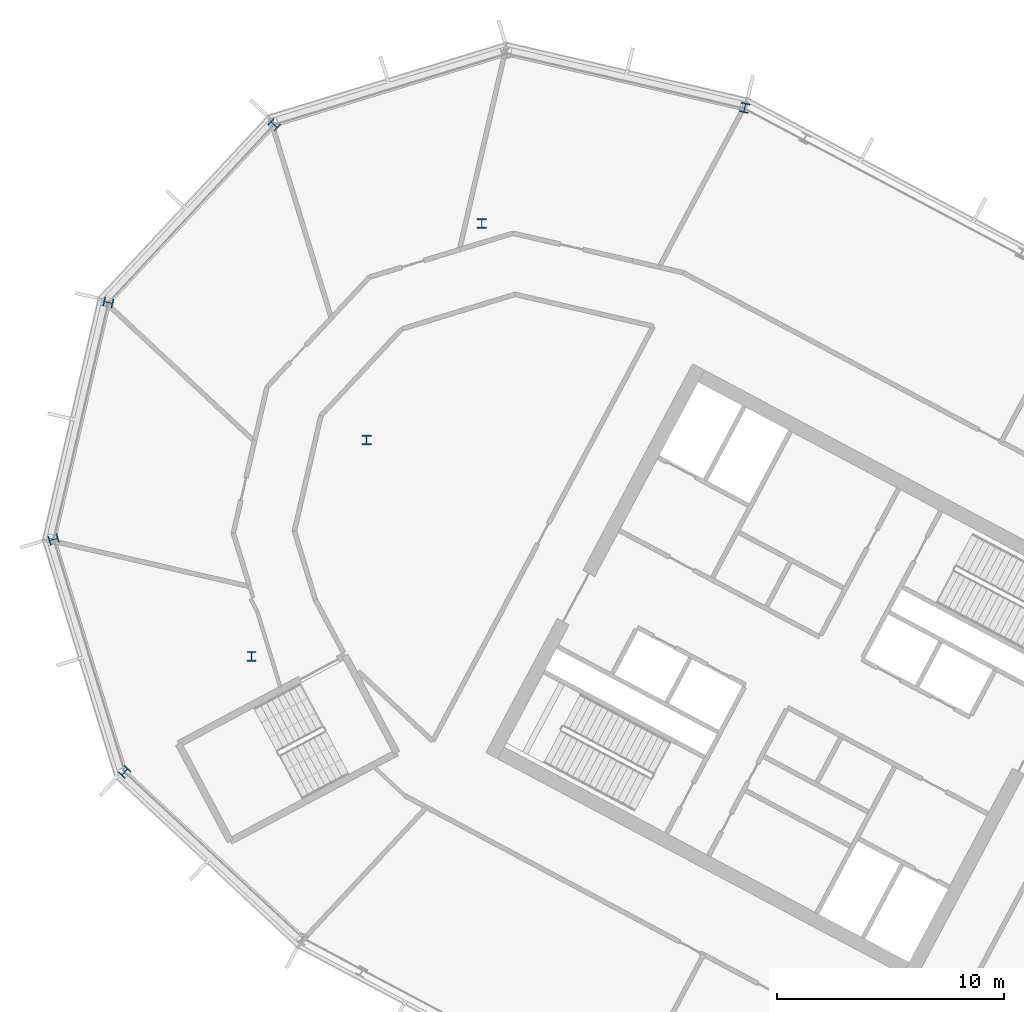
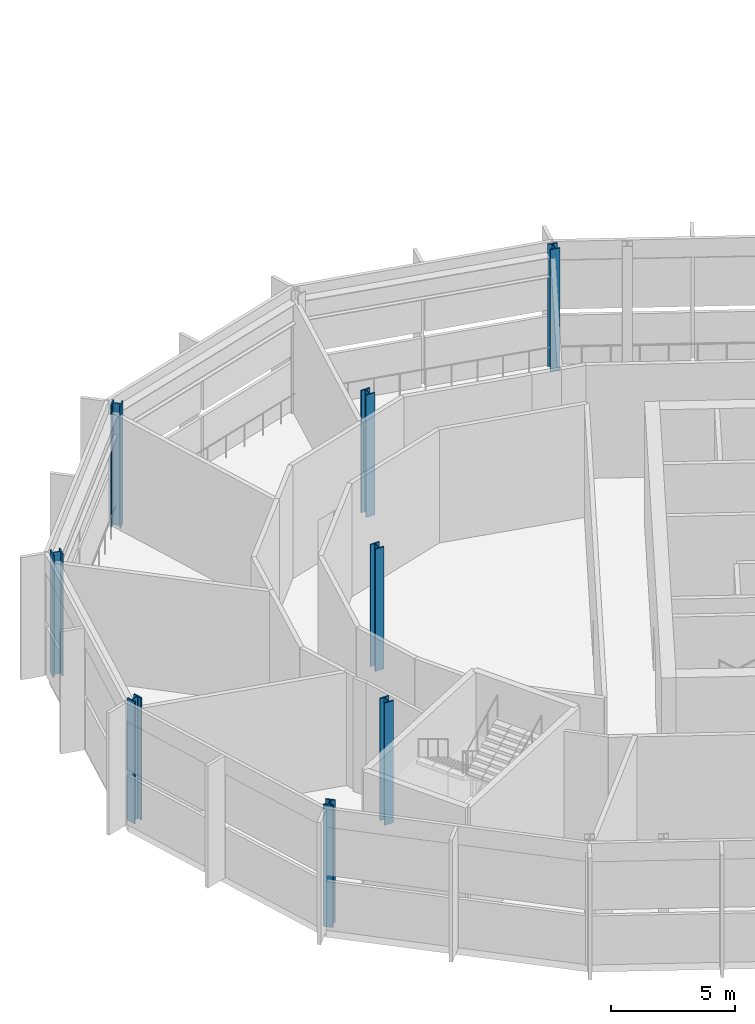
# One storey, part 3 of 33: 8 columns.
"""IFC4 building model written with IfcOpenShell, lengths in metres."""

from ifc_helpers import new_model, si_unit, direction, frame, origin, origin_2d, place, context, subcontext, project, spatial, i_section, extrude, material, material_profile, profile_set, type_object, element, save


model = new_model("IFC4")

# Units and contexts
model_context = context("Model", 3, precision=1e-05, world=origin(), true_north=direction((0.0, 1.0)))
body_context = subcontext(model_context, "Body", "Model", "MODEL_VIEW")
ifc_project = project(units=[si_unit("LENGTHUNIT", "METRE"), si_unit("AREAUNIT", "SQUARE_METRE"), si_unit("VOLUMEUNIT", "CUBIC_METRE"), si_unit("PLANEANGLEUNIT", "RADIAN"), si_unit("MASSUNIT", "GRAM", prefix="KILO")], contexts=[model_context])

# Site, building, storey
site_placement = place(None, origin())
site = spatial("IfcSite", under=ifc_project, at=site_placement, CompositionType="ELEMENT")
building_placement = place(site_placement, origin())
building = spatial("IfcBuilding", under=site, at=building_placement, Name="Cormorant Relay Tower", CompositionType="ELEMENT")
storey_placement = place(building_placement, frame((0.0, 0.0, 252.0)))
storey = spatial("IfcBuildingStorey", under=building, at=storey_placement, Name="L56", CompositionType="ELEMENT", Elevation=252.0)

# Columns
ifc_material = material(Name="Steel ASTM A992 (Fy 345 MPa)", Category="steel")
ifc_material_profile = material_profile(ifc_material, i_section(OverallWidth=0.41162109375, OverallDepth=0.434326171875, WebThickness=0.035888671875, FlangeThickness=0.057373046875, FilletRadius=0.01513671875, at=origin_2d()), Name="W360x463")
ifc_profile_set = profile_set([ifc_material_profile], Name="Steel ASTM A992 (Fy 345 MPa)")
column_type = type_object("IfcColumnType", Name="Column W360x463", PredefinedType="COLUMN", material=ifc_profile_set)
for number, where, z_axis, x_axis, name in (
    (1, (-57.279052734375, 10.162109375, 0.0), (0.0, 0.0, 1.0), (0.731353701619, -0.681998360062, 0.0), "Column L56-022"),
    (2, (-51.68994140625, 15.251953125, 0.0), (0.0, 0.0, 1.0), (1.0, 0.0, 0.0), "Column L56-027"),
    (3, (-60.409912109375, 20.404052734375, 0.0), (0.0, 0.0, 1.0), (0.292371704723, -0.956304755963, 0.0), "Column L56-028"),
    (4, (-46.6201171875, 24.7880859375, 0.0), (0.0, 0.0, 1.0), (1.0, 0.0, 0.0), "Column L56-031"),
    (5, (-58.0009765625, 30.840087890625, 0.0), (0.0, 0.0, 1.0), (-0.224951054344, -0.974370064785, 0.0), "Column L56-034"),
    (6, (-41.549072265625, 34.323974609375, 0.0), (0.0, 0.0, 1.0), (1.0, 0.0, 0.0), "Column L56-038"),
    (7, (-50.697021484375, 38.672119140625, 0.0), (0.0, 0.0, 1.0), (-0.681998360062, -0.731353701619, 0.0), "Column L56-042"),
    (8, (-29.968017578125, 39.4150390625, 0.0), (0.0, 0.0, 1.0), (-0.974370064785, 0.224951054344, 0.0), "Column L56-044"),
):
    element("IfcColumn", number, at=place(storey_placement, frame(where, z_axis=z_axis, x_axis=x_axis)), inside=storey, type_object=column_type, Name=name, PredefinedType="COLUMN", context=body_context, shape_type="SweptSolid", body=[
        extrude(i_section(OverallWidth=0.41162109375, OverallDepth=0.434326171875, WebThickness=0.035888671875, FlangeThickness=0.057373046875, FilletRadius=0.01513671875, at=origin_2d()), origin(), (0.0, 0.0, 1.0), 6.0),
    ])

save(model, "model.ifc")
